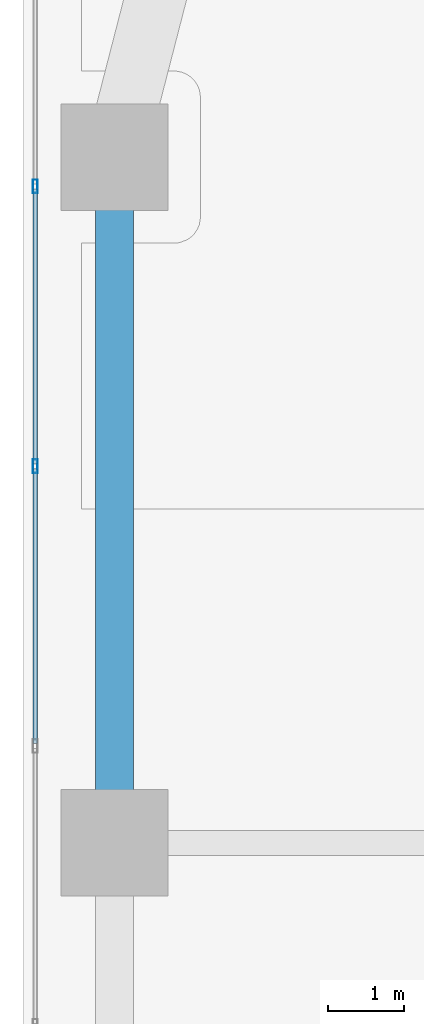
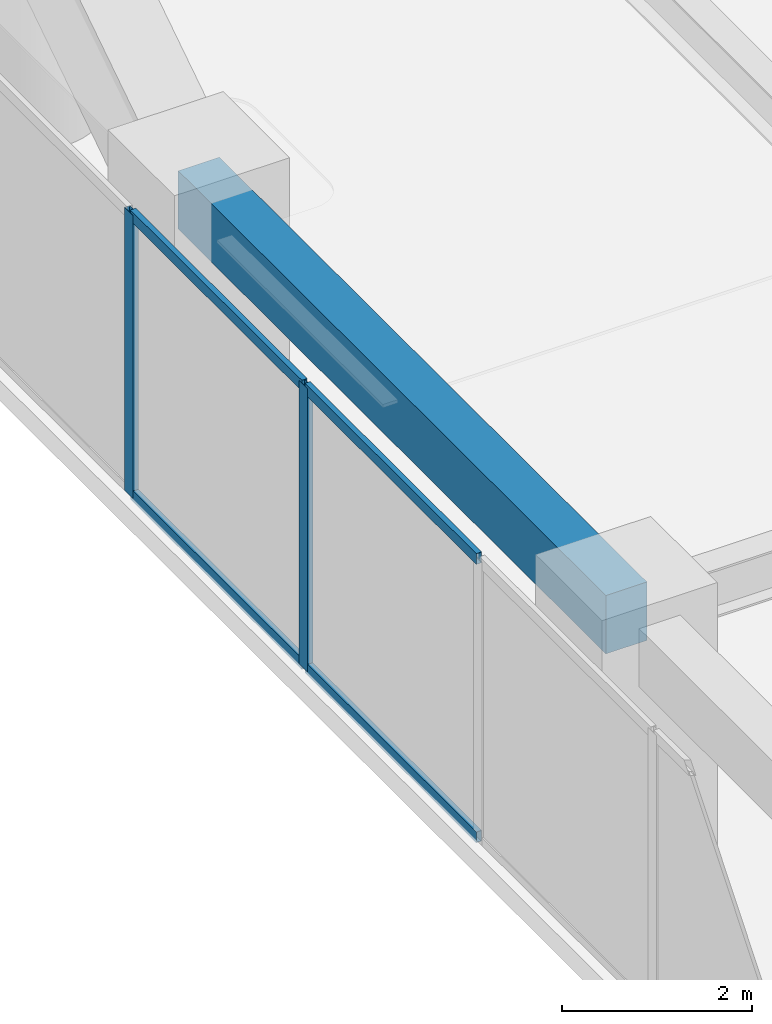
# One storey, part 9 of 24: 6 members, 1 beam, 1 element without a shape of its own.
"""IFC4 building model written with IfcOpenShell, lengths in metres."""

from ifc_helpers import new_model, si_unit, direction, frame, origin, origin_2d, place, context, subcontext, project, spatial, rectangle, hollow_rectangle, extrude, material, layer, layer_set, material_profile, profile_set, type_object, element, aggregate, save


model = new_model("IFC4")

# Units and contexts
model_context = context("Model", 3, precision=1e-05, world=origin(), true_north=direction((0.0, 1.0)))
body_context = subcontext(model_context, "Body", "Model", "MODEL_VIEW")
ifc_project = project(units=[si_unit("LENGTHUNIT", "METRE"), si_unit("AREAUNIT", "SQUARE_METRE"), si_unit("VOLUMEUNIT", "CUBIC_METRE"), si_unit("PLANEANGLEUNIT", "RADIAN"), si_unit("MASSUNIT", "GRAM", prefix="KILO")], contexts=[model_context])

# Site, building, storey
site_placement = place(None, origin())
site = spatial("IfcSite", under=ifc_project, at=site_placement, CompositionType="ELEMENT")
building_placement = place(site_placement, origin())
building = spatial("IfcBuilding", under=site, at=building_placement, Name="Kiyonajd Concourse Tower", CompositionType="ELEMENT")
storey_placement = place(building_placement, frame((0.0, 0.0, 109.199951171875)))
storey = spatial("IfcBuildingStorey", under=building, at=storey_placement, Name="L28", CompositionType="ELEMENT", Elevation=109.199951171875)

# Beam
ifc_material_1 = material(Name="Precast concrete C50/60", Category="concrete")
ifc_material_profile_1 = material_profile(ifc_material_1, rectangle(XDim=0.5, YDim=0.75, at=origin_2d()), Name="RCBM-500x750")
ifc_profile_set_1 = profile_set([ifc_material_profile_1], Name="Precast concrete C50/60")
beam_type = type_object("IfcBeamType", Name="BM-SPAN-RC", PredefinedType="SPANDREL", material=ifc_profile_set_1)
beam_placement = place(storey_placement, frame((19.199951171875, 53.39990234375, 3.26513671875), z_axis=(0.0, -1.0, 0.0), x_axis=(1.0, 0.0, 0.0)))
element("IfcBeam", 1, at=beam_placement, inside=storey, type_object=beam_type, Name="L28 Perimeter Bundled Tube Spandrel", PredefinedType="SPANDREL", context=body_context, shape_type="SweptSolid", body=[
    extrude(rectangle(XDim=0.5, YDim=0.75, at=origin_2d()), origin(), (0.0, 0.0, 1.0), 9.0),
])

# Curtain wall, members
ifc_material_2 = material(Name="Thermally Broken Anodised Aluminium", Category="aluminium")
ifc_layer = layer(ifc_material_2, 0.179931640625)
ifc_layer_set = layer_set([ifc_layer], Name="Thermally Broken Anodised Aluminium")
curtain_wall_type = type_object("IfcCurtainWallType", Name="CW-SYS-03", PredefinedType="NOTDEFINED", material=ifc_layer_set)
curtain_wall_placement = place(storey_placement, origin())
curtain_wall = element("IfcCurtainWall", 2, at=curtain_wall_placement, inside=storey, type_object=curtain_wall_type, Name="L28 Unitised Curtain Wall CW3", PredefinedType="NOTDEFINED")
ifc_material_profile_2 = material_profile(ifc_material_2, hollow_rectangle(XDim=0.06494140625, YDim=0.179931640625, WallThickness=0.00390625, at=origin_2d()), Name="MULL-65x180")
ifc_profile_set_2 = profile_set([ifc_material_profile_2], Name="Thermally Broken Anodised Aluminium")
member_type_1 = type_object("IfcMemberType", Name="MB-CW-MULL1", PredefinedType="MULLION", material=ifc_profile_set_2)
member_1_placement = place(storey_placement, frame((18.159912109375, 49.342529296875, 0.0), z_axis=(0.0, 0.0, 1.0), x_axis=(-1.0, 0.0, 0.0)))
member_1 = element("IfcMember", 3, at=member_1_placement, type_object=member_type_1, Name="CW3 mullion 5", PredefinedType="MULLION", context=body_context, shape_type="SweptSolid", body=[
    extrude(hollow_rectangle(XDim=0.06494140625, YDim=0.179931640625, WallThickness=0.00390625, at=origin_2d()), origin(), (0.0, 0.0, 1.0), 3.64013671875),
])
member_2_placement = place(storey_placement, frame((18.159912109375, 53.015869140625, 0.0), z_axis=(0.0, 0.0, 1.0), x_axis=(-1.0, 0.0, 0.0)))
member_2 = element("IfcMember", 4, at=member_2_placement, type_object=member_type_1, Name="CW3 mullion 6", PredefinedType="MULLION", context=body_context, shape_type="SweptSolid", body=[
    extrude(hollow_rectangle(XDim=0.06494140625, YDim=0.179931640625, WallThickness=0.00390625, at=origin_2d()), origin(), (0.0, 0.0, 1.0), 3.64013671875),
])
ifc_material_profile_3 = material_profile(ifc_material_2, hollow_rectangle(XDim=0.06494140625, YDim=0.139892578125, WallThickness=0.00390625, at=origin_2d()), Name="TRAN-65x140")
ifc_profile_set_3 = profile_set([ifc_material_profile_3], Name="Thermally Broken Anodised Aluminium")
member_type_2 = type_object("IfcMemberType", Name="MB-CW-TRAN1", PredefinedType="USERDEFINED", material=ifc_profile_set_3)
member_3_placement = place(storey_placement, frame((18.159912109375, 45.701904296875, 0.032470703125), z_axis=(0.0, 1.0, 0.0), x_axis=(-1.0, 0.0, 0.0)))
member_3 = element("IfcMember", 5, at=member_3_placement, type_object=member_type_2, Name="CW3 transom 4.1", ObjectType="TRANSOM", PredefinedType="USERDEFINED", context=body_context, shape_type="SweptSolid", body=[
    extrude(hollow_rectangle(XDim=0.06494140625, YDim=0.139892578125, WallThickness=0.00390625, at=origin_2d()), origin(), (0.0, 0.0, 1.0), 3.608154296875),
])
member_4_placement = place(storey_placement, frame((18.159912109375, 45.701904296875, 3.607666015625), z_axis=(0.0, 1.0, 0.0), x_axis=(-1.0, 0.0, 0.0)))
member_4 = element("IfcMember", 6, at=member_4_placement, type_object=member_type_2, Name="CW3 transom 4.2", ObjectType="TRANSOM", PredefinedType="USERDEFINED", context=body_context, shape_type="SweptSolid", body=[
    extrude(hollow_rectangle(XDim=0.06494140625, YDim=0.139892578125, WallThickness=0.00390625, at=origin_2d()), origin(), (0.0, 0.0, 1.0), 3.608154296875),
])
member_5_placement = place(storey_placement, frame((18.159912109375, 49.375, 0.032470703125), z_axis=(0.0, 1.0, 0.0), x_axis=(-1.0, 0.0, 0.0)))
member_5 = element("IfcMember", 7, at=member_5_placement, type_object=member_type_2, Name="CW3 transom 5.1", ObjectType="TRANSOM", PredefinedType="USERDEFINED", context=body_context, shape_type="SweptSolid", body=[
    extrude(hollow_rectangle(XDim=0.06494140625, YDim=0.139892578125, WallThickness=0.00390625, at=origin_2d()), origin(), (0.0, 0.0, 1.0), 3.608154296875),
])
member_6_placement = place(storey_placement, frame((18.159912109375, 49.375, 3.607666015625), z_axis=(0.0, 1.0, 0.0), x_axis=(-1.0, 0.0, 0.0)))
member_6 = element("IfcMember", 8, at=member_6_placement, type_object=member_type_2, Name="CW3 transom 5.2", ObjectType="TRANSOM", PredefinedType="USERDEFINED", context=body_context, shape_type="SweptSolid", body=[
    extrude(hollow_rectangle(XDim=0.06494140625, YDim=0.139892578125, WallThickness=0.00390625, at=origin_2d()), origin(), (0.0, 0.0, 1.0), 3.608154296875),
])
aggregate(curtain_wall, [member_1, member_2, member_3, member_4, member_5, member_6])

save(model, "model.ifc")
